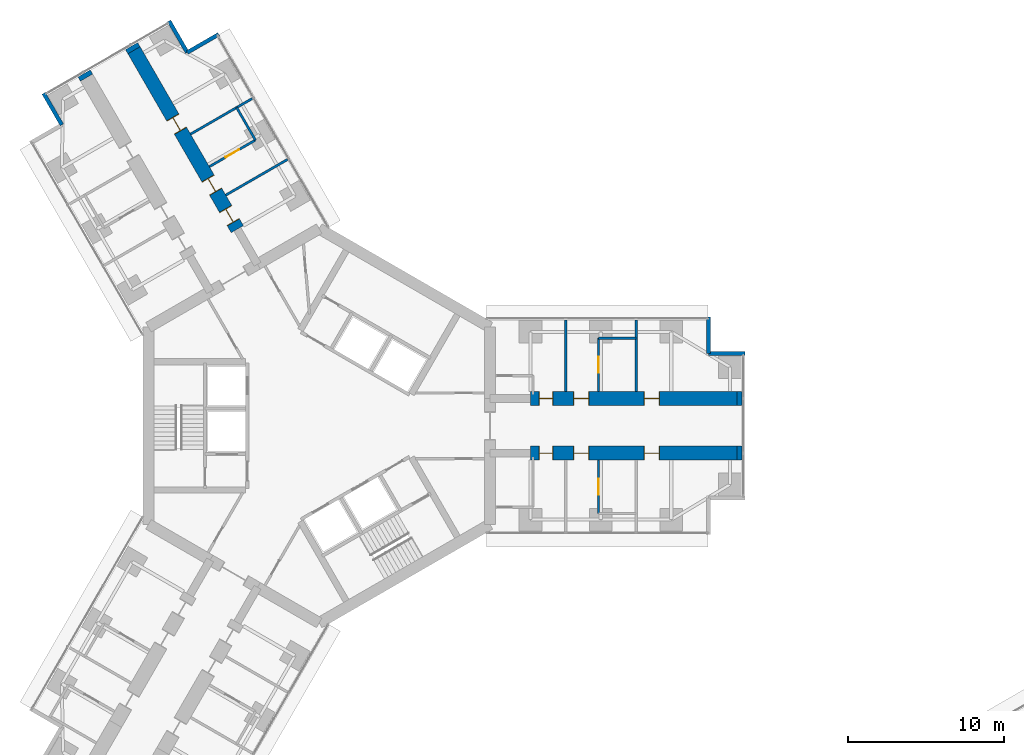
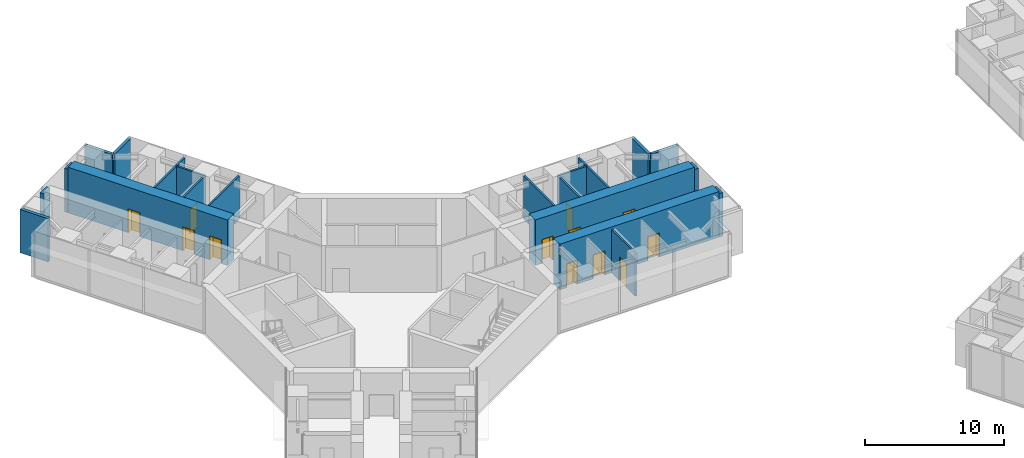
# One storey, part 19 of 24: 21 walls, 12 doors, 12 openings.
"""IFC4 building model written with IfcOpenShell, lengths in metres."""

from ifc_helpers import new_model, si_unit, direction, frame, frame_2d, origin, place, context, subcontext, project, spatial, rectangle, extrude, material, layer, layer_set, type_object, element, fill, save


model = new_model("IFC4")

# Units and contexts
model_context = context("Model", 3, precision=1e-05, world=origin(), true_north=direction((0.0, 1.0)))
body_context = subcontext(model_context, "Body", "Model", "MODEL_VIEW")
ifc_project = project(units=[si_unit("LENGTHUNIT", "METRE"), si_unit("AREAUNIT", "SQUARE_METRE"), si_unit("VOLUMEUNIT", "CUBIC_METRE"), si_unit("PLANEANGLEUNIT", "RADIAN"), si_unit("MASSUNIT", "GRAM", prefix="KILO")], contexts=[model_context])

# Site, building, storey
site_placement = place(None, origin())
site = spatial("IfcSite", under=ifc_project, at=site_placement, CompositionType="ELEMENT")
building_placement = place(site_placement, origin())
building = spatial("IfcBuilding", under=site, at=building_placement, Name="Upepo Twin Towers", CompositionType="ELEMENT")
storey_placement = place(building_placement, frame((0.0, 0.0, 68.5)))
storey = spatial("IfcBuildingStorey", under=building, at=storey_placement, Name="L16", CompositionType="ELEMENT", Elevation=68.5)

# Walls
ifc_material_1 = material(Name="Dense concrete blockwork", Category="masonry")
ifc_layer_1 = layer(ifc_material_1, 0.89990234375)
ifc_layer_set_1 = layer_set([ifc_layer_1], Name="Buttress closer 900, blockwork with fire-stopping to the curtain wall")
wall_type_1 = type_object("IfcWallType", Name="Buttress closer 900, blockwork with fire-stopping to the curtain wall", PredefinedType="PARTITIONING", material=ifc_layer_set_1)
for number, where, z_axis, x_axis, name in (
    (1, (26.699951171875, 1.75, 0.0), (0.0, 0.0, 1.0), (1.0, 0.0, 0.0), "T1 L16 wing A buttress closer L"),
    (2, (26.699951171875, -1.75, 0.0), (0.0, 0.0, 1.0), (1.0, 0.0, 0.0), "T1 L16 wing A buttress closer R"),
    (3, (-14.865478515625, 22.247802734375, 0.0), (0.0, 0.0, 1.0), (-0.499949632511, 0.866054481515, 0.0), "T1 L16 wing B buttress closer L"),
    (4, (-11.83447265625, 23.997802734375, 0.0), (0.0, 0.0, 1.0), (-0.499949632511, 0.866054481515, 0.0), "T1 L16 wing B buttress closer R"),
):
    element("IfcWall", number, at=place(storey_placement, frame(where, z_axis=z_axis, x_axis=x_axis)), inside=storey, type_object=wall_type_1, Name=name, PredefinedType="PARTITIONING", context=body_context, shape_type="SweptSolid", body=[
        extrude(rectangle(XDim=0.31005859375, YDim=0.89990234375, at=frame_2d((0.155029296875, 0.0))), origin(), (0.0, 0.0, 1.0), 3.800048828125),
    ])

# Wall, openings, doors
ifc_material_2 = material(Name="Concrete C60/75", Category="concrete")
ifc_layer_2 = layer(ifc_material_2, 0.89990234375)
ifc_layer_set_2 = layer_set([ifc_layer_2], Name="Concrete C60/75")
wall_type_2 = type_object("IfcWallType", Name="Buttress wall 900 RC", PredefinedType="SHEAR", material=ifc_layer_set_2)
wall_1_placement = place(storey_placement, frame((13.5, 1.75, 0.0), z_axis=(0.0, 0.0, 1.0), x_axis=(1.0, 0.0, 0.0)))
wall_1 = element("IfcWall", 5, at=wall_1_placement, inside=storey, type_object=wall_type_2, Name="T1 wing A buttress wall L part 2", PredefinedType="SHEAR", context=body_context, shape_type="SweptSolid", body=[
    extrude(rectangle(XDim=13.199951171875, YDim=0.89990234375, at=frame_2d((6.60009765625, 0.0))), origin(), (0.0, 0.0, 1.0), 4.0),
])
opening_1_placement = place(wall_1_placement, frame((0.550048828125, 0.0, 0.0)))
opening_1 = element("IfcOpeningElement", 6, at=opening_1_placement, cuts=wall_1, Name="Opening D11", PredefinedType="OPENING", context=body_context, shape_type="SweptSolid", body=[
    extrude(rectangle(XDim=0.89990234375, YDim=2.10009765625, at=frame_2d((0.449951171875, 1.050048828125))), frame((0.0, 0.4599609375, 0.0), z_axis=(0.0, -1.0, 0.0), x_axis=(1.0, 0.0, 0.0)), (0.0, 0.0, 1.0), 0.919921875),
])
opening_2_placement = place(wall_1_placement, frame((2.75, 0.0, 0.0)))
opening_2 = element("IfcOpeningElement", 7, at=opening_2_placement, cuts=wall_1, Name="Opening D1", PredefinedType="OPENING", context=body_context, shape_type="SweptSolid", body=[
    extrude(rectangle(XDim=1.0, YDim=2.10009765625, at=frame_2d((0.5, 1.050048828125))), frame((0.0, 0.4599609375, 0.0), z_axis=(0.0, -1.0, 0.0), x_axis=(1.0, 0.0, 0.0)), (0.0, 0.0, 1.0), 0.919921875),
])
opening_3_placement = place(wall_1_placement, frame((7.25, 0.0, 0.0)))
opening_3 = element("IfcOpeningElement", 8, at=opening_3_placement, cuts=wall_1, Name="Opening D1", PredefinedType="OPENING", context=body_context, shape_type="SweptSolid", body=[
    extrude(rectangle(XDim=1.0, YDim=2.10009765625, at=frame_2d((0.5, 1.050048828125))), frame((0.0, 0.4599609375, 0.0), z_axis=(0.0, -1.0, 0.0), x_axis=(1.0, 0.0, 0.0)), (0.0, 0.0, 1.0), 0.919921875),
])
ifc_material_3 = material(Name="Timber doorset", Category="wood")
door_type_1 = type_object("IfcDoorType", Name="Room door 1000 FD30", OperationType="SINGLE_SWING_LEFT", PredefinedType="DOOR", material=ifc_material_3)
door_1_placement = place(opening_2_placement, origin())
door_1 = element("IfcDoor", 9, at=door_1_placement, inside=storey, type_object=door_type_1, Name="T1 L16 seminar room door", OperationType="SINGLE_SWING_LEFT", OverallHeight=2.10009765625, OverallWidth=1.0, PredefinedType="DOOR", context=body_context, shape_type="SweptSolid", body=[
    extrude(rectangle(XDim=0.92, YDim=2.06009765625, at=frame_2d((0.5, 1.030029296875))), frame((0.0, 0.02490234375, 0.0), z_axis=(0.0, -1.0, 0.0), x_axis=(1.0, 0.0, 0.0)), (0.0, 0.0, 1.0), 0.050048828125),
    extrude(rectangle(XDim=0.04, YDim=2.10009765625, at=frame_2d((0.02001953125, 1.050048828125))), frame((0.0, 0.44970703125, 0.0), z_axis=(0.0, -1.0, 0.0), x_axis=(1.0, 0.0, 0.0)), (0.0, 0.0, 1.0), 0.8994140625),
    extrude(rectangle(XDim=0.04, YDim=2.10009765625, at=frame_2d((0.97998046875, 1.050048828125))), frame((0.0, 0.44970703125, 0.0), z_axis=(0.0, -1.0, 0.0), x_axis=(1.0, 0.0, 0.0)), (0.0, 0.0, 1.0), 0.8994140625),
    extrude(rectangle(XDim=0.92, YDim=0.04, at=frame_2d((0.5, 2.080078125))), frame((0.0, 0.44970703125, 0.0), z_axis=(0.0, -1.0, 0.0), x_axis=(1.0, 0.0, 0.0)), (0.0, 0.0, 1.0), 0.8994140625),
])
fill(opening_2, door_1)
door_2_placement = place(opening_3_placement, origin())
door_2 = element("IfcDoor", 10, at=door_2_placement, inside=storey, type_object=door_type_1, Name="T1 L16 staff office door", OperationType="SINGLE_SWING_RIGHT", OverallHeight=2.10009765625, OverallWidth=1.0, PredefinedType="DOOR", context=body_context, shape_type="SweptSolid", body=[
    extrude(rectangle(XDim=0.92, YDim=2.06009765625, at=frame_2d((0.5, 1.030029296875))), frame((0.0, 0.02490234375, 0.0), z_axis=(0.0, -1.0, 0.0), x_axis=(1.0, 0.0, 0.0)), (0.0, 0.0, 1.0), 0.050048828125),
    extrude(rectangle(XDim=0.04, YDim=2.10009765625, at=frame_2d((0.02001953125, 1.050048828125))), frame((0.0, 0.44970703125, 0.0), z_axis=(0.0, -1.0, 0.0), x_axis=(1.0, 0.0, 0.0)), (0.0, 0.0, 1.0), 0.8994140625),
    extrude(rectangle(XDim=0.04, YDim=2.10009765625, at=frame_2d((0.97998046875, 1.050048828125))), frame((0.0, 0.44970703125, 0.0), z_axis=(0.0, -1.0, 0.0), x_axis=(1.0, 0.0, 0.0)), (0.0, 0.0, 1.0), 0.8994140625),
    extrude(rectangle(XDim=0.92, YDim=0.04, at=frame_2d((0.5, 2.080078125))), frame((0.0, 0.44970703125, 0.0), z_axis=(0.0, -1.0, 0.0), x_axis=(1.0, 0.0, 0.0)), (0.0, 0.0, 1.0), 0.8994140625),
])
fill(opening_3, door_2)
ifc_material_4 = material(Name="Timber doorset", Category="wood")
door_type_2 = type_object("IfcDoorType", Name="Toilet door 900", OperationType="SINGLE_SWING_LEFT", PredefinedType="DOOR", material=ifc_material_4)
door_3_placement = place(opening_1_placement, origin())
door_3 = element("IfcDoor", 11, at=door_3_placement, inside=storey, type_object=door_type_2, Name="T1 L16 toilets door", OperationType="SINGLE_SWING_LEFT", OverallHeight=2.10009765625, OverallWidth=0.89990234375, PredefinedType="DOOR", context=body_context, shape_type="SweptSolid", body=[
    extrude(rectangle(XDim=0.81990234375, YDim=2.06009765625, at=frame_2d((0.449951171875, 1.030029296875))), frame((0.0, 0.02490234375, 0.0), z_axis=(0.0, -1.0, 0.0), x_axis=(1.0, 0.0, 0.0)), (0.0, 0.0, 1.0), 0.050048828125),
    extrude(rectangle(XDim=0.04, YDim=2.10009765625, at=frame_2d((0.02001953125, 1.050048828125))), frame((0.0, 0.44970703125, 0.0), z_axis=(0.0, -1.0, 0.0), x_axis=(1.0, 0.0, 0.0)), (0.0, 0.0, 1.0), 0.8994140625),
    extrude(rectangle(XDim=0.04, YDim=2.10009765625, at=frame_2d((0.8798828125, 1.050048828125))), frame((0.0, 0.44970703125, 0.0), z_axis=(0.0, -1.0, 0.0), x_axis=(1.0, 0.0, 0.0)), (0.0, 0.0, 1.0), 0.8994140625),
    extrude(rectangle(XDim=0.81990234375, YDim=0.04, at=frame_2d((0.449951171875, 2.080078125))), frame((0.0, 0.44970703125, 0.0), z_axis=(0.0, -1.0, 0.0), x_axis=(1.0, 0.0, 0.0)), (0.0, 0.0, 1.0), 0.8994140625),
])
fill(opening_1, door_3)

wall_2_placement = place(storey_placement, frame((13.5, -1.75, 0.0), z_axis=(0.0, 0.0, 1.0), x_axis=(1.0, 0.0, 0.0)))
wall_2 = element("IfcWall", 12, at=wall_2_placement, inside=storey, type_object=wall_type_2, Name="T1 wing A buttress wall R part 2", PredefinedType="SHEAR", context=body_context, shape_type="SweptSolid", body=[
    extrude(rectangle(XDim=13.199951171875, YDim=0.89990234375, at=frame_2d((6.60009765625, 0.0))), origin(), (0.0, 0.0, 1.0), 4.0),
])
opening_4_placement = place(wall_2_placement, frame((0.550048828125, 0.0, 0.0)))
opening_4 = element("IfcOpeningElement", 13, at=opening_4_placement, cuts=wall_2, Name="Opening D11", PredefinedType="OPENING", context=body_context, shape_type="SweptSolid", body=[
    extrude(rectangle(XDim=0.89990234375, YDim=2.10009765625, at=frame_2d((0.449951171875, 1.050048828125))), frame((0.0, 0.4599609375, 0.0), z_axis=(0.0, -1.0, 0.0), x_axis=(1.0, 0.0, 0.0)), (0.0, 0.0, 1.0), 0.919921875),
])
opening_5_placement = place(wall_2_placement, frame((2.75, 0.0, 0.0)))
opening_5 = element("IfcOpeningElement", 14, at=opening_5_placement, cuts=wall_2, Name="Opening D1", PredefinedType="OPENING", context=body_context, shape_type="SweptSolid", body=[
    extrude(rectangle(XDim=1.0, YDim=2.10009765625, at=frame_2d((0.5, 1.050048828125))), frame((0.0, 0.4599609375, 0.0), z_axis=(0.0, -1.0, 0.0), x_axis=(1.0, 0.0, 0.0)), (0.0, 0.0, 1.0), 0.919921875),
])
opening_6_placement = place(wall_2_placement, frame((7.25, 0.0, 0.0)))
opening_6 = element("IfcOpeningElement", 15, at=opening_6_placement, cuts=wall_2, Name="Opening D1", PredefinedType="OPENING", context=body_context, shape_type="SweptSolid", body=[
    extrude(rectangle(XDim=1.0, YDim=2.10009765625, at=frame_2d((0.5, 1.050048828125))), frame((0.0, 0.4599609375, 0.0), z_axis=(0.0, -1.0, 0.0), x_axis=(1.0, 0.0, 0.0)), (0.0, 0.0, 1.0), 0.919921875),
])
door_4_placement = place(opening_5_placement, origin())
door_4 = element("IfcDoor", 16, at=door_4_placement, inside=storey, type_object=door_type_1, Name="T1 L16 tutorial room door", OperationType="SINGLE_SWING_LEFT", OverallHeight=2.10009765625, OverallWidth=1.0, PredefinedType="DOOR", context=body_context, shape_type="SweptSolid", body=[
    extrude(rectangle(XDim=0.92, YDim=2.06009765625, at=frame_2d((0.5, 1.030029296875))), frame((0.0, 0.02490234375, 0.0), z_axis=(0.0, -1.0, 0.0), x_axis=(1.0, 0.0, 0.0)), (0.0, 0.0, 1.0), 0.050048828125),
    extrude(rectangle(XDim=0.04, YDim=2.10009765625, at=frame_2d((0.02001953125, 1.050048828125))), frame((0.0, 0.44970703125, 0.0), z_axis=(0.0, -1.0, 0.0), x_axis=(1.0, 0.0, 0.0)), (0.0, 0.0, 1.0), 0.8994140625),
    extrude(rectangle(XDim=0.04, YDim=2.10009765625, at=frame_2d((0.97998046875, 1.050048828125))), frame((0.0, 0.44970703125, 0.0), z_axis=(0.0, -1.0, 0.0), x_axis=(1.0, 0.0, 0.0)), (0.0, 0.0, 1.0), 0.8994140625),
    extrude(rectangle(XDim=0.92, YDim=0.04, at=frame_2d((0.5, 2.080078125))), frame((0.0, 0.44970703125, 0.0), z_axis=(0.0, -1.0, 0.0), x_axis=(1.0, 0.0, 0.0)), (0.0, 0.0, 1.0), 0.8994140625),
])
fill(opening_5, door_4)
door_5_placement = place(opening_6_placement, origin())
door_5 = element("IfcDoor", 17, at=door_5_placement, inside=storey, type_object=door_type_1, Name="T1 L16 computing laboratory door", OperationType="SINGLE_SWING_RIGHT", OverallHeight=2.10009765625, OverallWidth=1.0, PredefinedType="DOOR", context=body_context, shape_type="SweptSolid", body=[
    extrude(rectangle(XDim=0.92, YDim=2.06009765625, at=frame_2d((0.5, 1.030029296875))), frame((0.0, 0.02490234375, 0.0), z_axis=(0.0, -1.0, 0.0), x_axis=(1.0, 0.0, 0.0)), (0.0, 0.0, 1.0), 0.050048828125),
    extrude(rectangle(XDim=0.04, YDim=2.10009765625, at=frame_2d((0.02001953125, 1.050048828125))), frame((0.0, 0.44970703125, 0.0), z_axis=(0.0, -1.0, 0.0), x_axis=(1.0, 0.0, 0.0)), (0.0, 0.0, 1.0), 0.8994140625),
    extrude(rectangle(XDim=0.04, YDim=2.10009765625, at=frame_2d((0.97998046875, 1.050048828125))), frame((0.0, 0.44970703125, 0.0), z_axis=(0.0, -1.0, 0.0), x_axis=(1.0, 0.0, 0.0)), (0.0, 0.0, 1.0), 0.8994140625),
    extrude(rectangle(XDim=0.92, YDim=0.04, at=frame_2d((0.5, 2.080078125))), frame((0.0, 0.44970703125, 0.0), z_axis=(0.0, -1.0, 0.0), x_axis=(1.0, 0.0, 0.0)), (0.0, 0.0, 1.0), 0.8994140625),
])
fill(opening_6, door_5)
door_6_placement = place(opening_4_placement, origin())
door_6 = element("IfcDoor", 18, at=door_6_placement, inside=storey, type_object=door_type_2, Name="T1 L16 accessible wc door", OperationType="SINGLE_SWING_LEFT", OverallHeight=2.10009765625, OverallWidth=0.89990234375, PredefinedType="DOOR", context=body_context, shape_type="SweptSolid", body=[
    extrude(rectangle(XDim=0.81990234375, YDim=2.06009765625, at=frame_2d((0.449951171875, 1.030029296875))), frame((0.0, 0.02490234375, 0.0), z_axis=(0.0, -1.0, 0.0), x_axis=(1.0, 0.0, 0.0)), (0.0, 0.0, 1.0), 0.050048828125),
    extrude(rectangle(XDim=0.04, YDim=2.10009765625, at=frame_2d((0.02001953125, 1.050048828125))), frame((0.0, 0.44970703125, 0.0), z_axis=(0.0, -1.0, 0.0), x_axis=(1.0, 0.0, 0.0)), (0.0, 0.0, 1.0), 0.8994140625),
    extrude(rectangle(XDim=0.04, YDim=2.10009765625, at=frame_2d((0.8798828125, 1.050048828125))), frame((0.0, 0.44970703125, 0.0), z_axis=(0.0, -1.0, 0.0), x_axis=(1.0, 0.0, 0.0)), (0.0, 0.0, 1.0), 0.8994140625),
    extrude(rectangle(XDim=0.81990234375, YDim=0.04, at=frame_2d((0.449951171875, 2.080078125))), frame((0.0, 0.44970703125, 0.0), z_axis=(0.0, -1.0, 0.0), x_axis=(1.0, 0.0, 0.0)), (0.0, 0.0, 1.0), 0.8994140625),
])
fill(opening_4, door_6)

wall_3_placement = place(storey_placement, frame((-5.234375, 12.56640625, 0.0), z_axis=(0.0, 0.0, 1.0), x_axis=(-0.500010103361, 0.866019570528, 0.0)))
wall_3 = element("IfcWall", 19, at=wall_3_placement, inside=storey, type_object=wall_type_2, Name="T1 wing B buttress wall R part 2", PredefinedType="SHEAR", context=body_context, shape_type="SweptSolid", body=[
    extrude(rectangle(XDim=13.199951171875, YDim=0.89990234375, at=frame_2d((6.60009765625, 0.0))), origin(), (0.0, 0.0, 1.0), 4.0),
])
opening_7_placement = place(wall_3_placement, frame((0.5, 0.0, 0.0)))
opening_7 = element("IfcOpeningElement", 20, at=opening_7_placement, cuts=wall_3, Name="Opening D1", PredefinedType="OPENING", context=body_context, shape_type="SweptSolid", body=[
    extrude(rectangle(XDim=1.0, YDim=2.10009765625, at=frame_2d((0.5, 1.050048828125))), frame((0.0, 0.4599609375, 0.0), z_axis=(0.0, -1.0, 0.0), x_axis=(1.0, 0.0, 0.0)), (0.0, 0.0, 1.0), 0.919921875),
])
opening_8_placement = place(wall_3_placement, frame((2.75, 0.0, 0.0)))
opening_8 = element("IfcOpeningElement", 21, at=opening_8_placement, cuts=wall_3, Name="Opening D1", PredefinedType="OPENING", context=body_context, shape_type="SweptSolid", body=[
    extrude(rectangle(XDim=1.0, YDim=2.10009765625, at=frame_2d((0.5, 1.050048828125))), frame((0.0, 0.4599609375, 0.0), z_axis=(0.0, -1.0, 0.0), x_axis=(1.0, 0.0, 0.0)), (0.0, 0.0, 1.0), 0.919921875),
])
opening_9_placement = place(wall_3_placement, frame((7.25, 0.0, 0.0)))
opening_9 = element("IfcOpeningElement", 22, at=opening_9_placement, cuts=wall_3, Name="Opening D1", PredefinedType="OPENING", context=body_context, shape_type="SweptSolid", body=[
    extrude(rectangle(XDim=1.0, YDim=2.10009765625, at=frame_2d((0.5, 1.050048828125))), frame((0.0, 0.4599609375, 0.0), z_axis=(0.0, -1.0, 0.0), x_axis=(1.0, 0.0, 0.0)), (0.0, 0.0, 1.0), 0.919921875),
])
door_7_placement = place(opening_7_placement, origin())
door_7 = element("IfcDoor", 23, at=door_7_placement, inside=storey, type_object=door_type_1, Name="T1 L16 computing laboratory door", OperationType="SINGLE_SWING_LEFT", OverallHeight=2.10009765625, OverallWidth=1.0, PredefinedType="DOOR", context=body_context, shape_type="SweptSolid", body=[
    extrude(rectangle(XDim=0.92, YDim=2.06009765625, at=frame_2d((0.5, 1.030029296875))), frame((0.0, 0.02490234375, 0.0), z_axis=(0.0, -1.0, 0.0), x_axis=(1.0, 0.0, 0.0)), (0.0, 0.0, 1.0), 0.050048828125),
    extrude(rectangle(XDim=0.04, YDim=2.10009765625, at=frame_2d((0.02001953125, 1.050048828125))), frame((0.0, 0.44970703125, 0.0), z_axis=(0.0, -1.0, 0.0), x_axis=(1.0, 0.0, 0.0)), (0.0, 0.0, 1.0), 0.8994140625),
    extrude(rectangle(XDim=0.04, YDim=2.10009765625, at=frame_2d((0.97998046875, 1.050048828125))), frame((0.0, 0.44970703125, 0.0), z_axis=(0.0, -1.0, 0.0), x_axis=(1.0, 0.0, 0.0)), (0.0, 0.0, 1.0), 0.8994140625),
    extrude(rectangle(XDim=0.92, YDim=0.04, at=frame_2d((0.5, 2.080078125))), frame((0.0, 0.44970703125, 0.0), z_axis=(0.0, -1.0, 0.0), x_axis=(1.0, 0.0, 0.0)), (0.0, 0.0, 1.0), 0.8994140625),
])
fill(opening_7, door_7)
door_8_placement = place(opening_8_placement, origin())
door_8 = element("IfcDoor", 24, at=door_8_placement, inside=storey, type_object=door_type_1, Name="T1 L16 seminar room door", OperationType="SINGLE_SWING_LEFT", OverallHeight=2.10009765625, OverallWidth=1.0, PredefinedType="DOOR", context=body_context, shape_type="SweptSolid", body=[
    extrude(rectangle(XDim=0.92, YDim=2.06009765625, at=frame_2d((0.5, 1.030029296875))), frame((0.0, 0.02490234375, 0.0), z_axis=(0.0, -1.0, 0.0), x_axis=(1.0, 0.0, 0.0)), (0.0, 0.0, 1.0), 0.050048828125),
    extrude(rectangle(XDim=0.04, YDim=2.10009765625, at=frame_2d((0.02001953125, 1.050048828125))), frame((0.0, 0.44970703125, 0.0), z_axis=(0.0, -1.0, 0.0), x_axis=(1.0, 0.0, 0.0)), (0.0, 0.0, 1.0), 0.8994140625),
    extrude(rectangle(XDim=0.04, YDim=2.10009765625, at=frame_2d((0.97998046875, 1.050048828125))), frame((0.0, 0.44970703125, 0.0), z_axis=(0.0, -1.0, 0.0), x_axis=(1.0, 0.0, 0.0)), (0.0, 0.0, 1.0), 0.8994140625),
    extrude(rectangle(XDim=0.92, YDim=0.04, at=frame_2d((0.5, 2.080078125))), frame((0.0, 0.44970703125, 0.0), z_axis=(0.0, -1.0, 0.0), x_axis=(1.0, 0.0, 0.0)), (0.0, 0.0, 1.0), 0.8994140625),
])
fill(opening_8, door_8)
door_9_placement = place(opening_9_placement, origin())
door_9 = element("IfcDoor", 25, at=door_9_placement, inside=storey, type_object=door_type_1, Name="T1 L16 staff office door", OperationType="SINGLE_SWING_RIGHT", OverallHeight=2.10009765625, OverallWidth=1.0, PredefinedType="DOOR", context=body_context, shape_type="SweptSolid", body=[
    extrude(rectangle(XDim=0.92, YDim=2.06009765625, at=frame_2d((0.5, 1.030029296875))), frame((0.0, 0.02490234375, 0.0), z_axis=(0.0, -1.0, 0.0), x_axis=(1.0, 0.0, 0.0)), (0.0, 0.0, 1.0), 0.050048828125),
    extrude(rectangle(XDim=0.04, YDim=2.10009765625, at=frame_2d((0.02001953125, 1.050048828125))), frame((0.0, 0.44970703125, 0.0), z_axis=(0.0, -1.0, 0.0), x_axis=(1.0, 0.0, 0.0)), (0.0, 0.0, 1.0), 0.8994140625),
    extrude(rectangle(XDim=0.04, YDim=2.10009765625, at=frame_2d((0.97998046875, 1.050048828125))), frame((0.0, 0.44970703125, 0.0), z_axis=(0.0, -1.0, 0.0), x_axis=(1.0, 0.0, 0.0)), (0.0, 0.0, 1.0), 0.8994140625),
    extrude(rectangle(XDim=0.92, YDim=0.04, at=frame_2d((0.5, 2.080078125))), frame((0.0, 0.44970703125, 0.0), z_axis=(0.0, -1.0, 0.0), x_axis=(1.0, 0.0, 0.0)), (0.0, 0.0, 1.0), 0.8994140625),
])
fill(opening_9, door_9)

# Walls
ifc_material_5 = material(Name="Blockwork with anodised aluminium cladding", Category="masonry")
ifc_layer_3 = layer(ifc_material_5, 0.25)
ifc_layer_set_3 = layer_set([ifc_layer_3], Name="Notch cladding wall 250, pale metal")
wall_type_3 = type_object("IfcWallType", Name="Notch cladding wall 250, pale metal", PredefinedType="STANDARD", material=ifc_layer_set_3)
for number, where, z_axis, x_axis, name in (
    (26, (24.875, 6.949951171875, 0.0), (0.0, 0.0, 1.0), (0.0, -1.0, 0.0), "T1 L16 wing A notch wall L1"),
    (27, (24.875, 4.625, 0.0), (0.0, 0.0, 1.0), (1.0, 0.0, 0.0), "T1 L16 wing A notch wall L2"),
    (28, (-16.44287109375, 19.22998046875, 0.0), (0.0, 0.0, 1.0), (-0.500046648681, 0.865998469481, 0.0), "T1 L16 wing B notch wall L2"),
    (29, (-6.418701171875, 25.017333984375, 0.0), (0.0, 0.0, 1.0), (-0.866043940782, -0.499967891604, 0.0), "T1 L16 wing B notch wall R1"),
    (30, (-8.43212890625, 23.85498046875, 0.0), (0.0, 0.0, 1.0), (-0.500046648681, 0.865998469481, 0.0), "T1 L16 wing B notch wall R2"),
):
    element("IfcWall", number, at=place(storey_placement, frame(where, z_axis=z_axis, x_axis=x_axis)), inside=storey, type_object=wall_type_3, Name=name, PredefinedType="STANDARD", context=body_context, shape_type="SweptSolid", body=[
        extrude(rectangle(XDim=2.324951171875, YDim=0.25, at=frame_2d((1.16259765625, 0.0))), origin(), (0.0, 0.0, 1.0), 3.800048828125),
    ])
ifc_material_6 = material(Name="Gypsum board on steel studs", Category="steel")
ifc_layer_4 = layer(ifc_material_6, 0.14990234375)
ifc_layer_set_4 = layer_set([ifc_layer_4], Name="Teaching partition 150 acoustic")
wall_type_4 = type_object("IfcWallType", Name="Teaching partition 150 acoustic", PredefinedType="PARTITIONING", material=ifc_layer_set_4)
for number, where, z_axis, x_axis, name in (
    (31, (15.75, 2.199951171875, 0.0), (0.0, 0.0, 1.0), (0.0, 1.0, 0.0), "T1 partition AL at 15.75"),
    (32, (20.25, 2.199951171875, 0.0), (0.0, 0.0, 1.0), (0.0, 1.0, 0.0), "T1 partition AL at 20.25"),
):
    element("IfcWall", number, at=place(storey_placement, frame(where, z_axis=z_axis, x_axis=x_axis)), inside=storey, type_object=wall_type_4, Name=name, PredefinedType="PARTITIONING", context=body_context, shape_type="SweptSolid", body=[
        extrude(rectangle(XDim=4.550048828125, YDim=0.14990234375, at=frame_2d((2.27490234375, 0.0))), origin(), (0.0, 0.0, 1.0), 3.800048828125),
    ])
wall_4_placement = place(storey_placement, frame((17.85009765625, 5.60009765625, 0.0), z_axis=(0.0, 0.0, 1.0), x_axis=(1.0, 0.0, 0.0)))
element("IfcWall", 33, at=wall_4_placement, inside=storey, type_object=wall_type_4, Name="T1 inner room partition AL at 17.85", PredefinedType="PARTITIONING", context=body_context, shape_type="SweptSolid", body=[
    extrude(rectangle(XDim=2.39990234375, YDim=0.14990234375, at=frame_2d((1.199951171875, 0.0))), origin(), (0.0, 0.0, 1.0), 3.800048828125),
])

# Wall, opening, door
wall_5_placement = place(storey_placement, frame((17.85009765625, 2.199951171875, 0.0), z_axis=(0.0, 0.0, 1.0), x_axis=(0.0, 1.0, 0.0)))
wall_5 = element("IfcWall", 34, at=wall_5_placement, inside=storey, type_object=wall_type_4, Name="T1 inner room partition AL end at 17.85", PredefinedType="PARTITIONING", context=body_context, shape_type="SweptSolid", body=[
    extrude(rectangle(XDim=3.400146484375, YDim=0.14990234375, at=frame_2d((1.7001953125, 0.0))), origin(), (0.0, 0.0, 1.0), 3.800048828125),
])
opening_10_placement = place(wall_5_placement, frame((1.199951171875, 0.0, 0.0)))
opening_10 = element("IfcOpeningElement", 35, at=opening_10_placement, cuts=wall_5, Name="Opening D1", PredefinedType="OPENING", context=body_context, shape_type="SweptSolid", body=[
    extrude(rectangle(XDim=1.0, YDim=2.10009765625, at=frame_2d((0.5, 1.050048828125))), frame((0.0, 0.0849609375, 0.0), z_axis=(0.0, -1.0, 0.0), x_axis=(1.0, 0.0, 0.0)), (0.0, 0.0, 1.0), 0.169921875),
])
door_10_placement = place(opening_10_placement, origin())
door_10 = element("IfcDoor", 36, at=door_10_placement, inside=storey, type_object=door_type_1, Name="T1 L16 inner room door", OperationType="SINGLE_SWING_LEFT", OverallHeight=2.10009765625, OverallWidth=1.0, PredefinedType="DOOR", context=body_context, shape_type="SweptSolid", body=[
    extrude(rectangle(XDim=1.0, YDim=2.10009765625, at=frame_2d((0.5, 1.050048828125))), frame((0.0, 0.02490234375, 0.0), z_axis=(0.0, -1.0, 0.0), x_axis=(1.0, 0.0, 0.0)), (0.0, 0.0, 1.0), 0.050048828125),
])
fill(opening_10, door_10)

wall_6_placement = place(storey_placement, frame((17.85009765625, -2.199951171875, 0.0), z_axis=(0.0, 0.0, 1.0), x_axis=(0.0, -1.0, 0.0)))
wall_6 = element("IfcWall", 37, at=wall_6_placement, inside=storey, type_object=wall_type_4, Name="T1 inner room partition AR end at 17.85", PredefinedType="PARTITIONING", context=body_context, shape_type="SweptSolid", body=[
    extrude(rectangle(XDim=3.400146484375, YDim=0.14990234375, at=frame_2d((1.7001953125, 0.0))), origin(), (0.0, 0.0, 1.0), 3.800048828125),
])
opening_11_placement = place(wall_6_placement, frame((1.199951171875, 0.0, 0.0)))
opening_11 = element("IfcOpeningElement", 38, at=opening_11_placement, cuts=wall_6, Name="Opening D1", PredefinedType="OPENING", context=body_context, shape_type="SweptSolid", body=[
    extrude(rectangle(XDim=1.0, YDim=2.10009765625, at=frame_2d((0.5, 1.050048828125))), frame((0.0, 0.0849609375, 0.0), z_axis=(0.0, -1.0, 0.0), x_axis=(1.0, 0.0, 0.0)), (0.0, 0.0, 1.0), 0.169921875),
])
door_11_placement = place(opening_11_placement, origin())
door_11 = element("IfcDoor", 39, at=door_11_placement, inside=storey, type_object=door_type_1, Name="T1 L16 inner room door", OperationType="SINGLE_SWING_LEFT", OverallHeight=2.10009765625, OverallWidth=1.0, PredefinedType="DOOR", context=body_context, shape_type="SweptSolid", body=[
    extrude(rectangle(XDim=1.0, YDim=2.10009765625, at=frame_2d((0.5, 1.050048828125))), frame((0.0, 0.02490234375, 0.0), z_axis=(0.0, -1.0, 0.0), x_axis=(1.0, 0.0, 0.0)), (0.0, 0.0, 1.0), 0.050048828125),
])
fill(opening_11, door_11)

# Walls
for number, where, z_axis, x_axis, name in (
    (40, (-5.9697265625, 14.739990234375, 0.0), (0.0, 0.0, 1.0), (0.866035472144, 0.499982560684, 0.0), "T1 partition BR at 15.75"),
    (41, (-8.2197265625, 18.636962890625, 0.0), (0.0, 0.0, 1.0), (0.866012237902, 0.500022803284, 0.0), "T1 partition BR at 20.25"),
):
    element("IfcWall", number, at=place(storey_placement, frame(where, z_axis=z_axis, x_axis=x_axis)), inside=storey, type_object=wall_type_4, Name=name, PredefinedType="PARTITIONING", context=body_context, shape_type="SweptSolid", body=[
        extrude(rectangle(XDim=4.550048828125, YDim=0.14990234375, at=frame_2d((2.27490234375, 0.0))), origin(), (0.0, 0.0, 1.0), 3.800048828125),
    ])
wall_7_placement = place(storey_placement, frame((-4.0751953125, 18.258544921875, 0.0), z_axis=(0.0, 0.0, 1.0), x_axis=(-0.500001309137, 0.866024647952, 0.0)))
element("IfcWall", 42, at=wall_7_placement, inside=storey, type_object=wall_type_4, Name="T1 inner room partition BR at 17.85", PredefinedType="PARTITIONING", context=body_context, shape_type="SweptSolid", body=[
    extrude(rectangle(XDim=2.39990234375, YDim=0.14990234375, at=frame_2d((1.199951171875, 0.0))), origin(), (0.0, 0.0, 1.0), 3.800048828125),
])

# Wall, opening, door
wall_8_placement = place(storey_placement, frame((-7.019775390625, 16.55859375, 0.0), z_axis=(0.0, 0.0, 1.0), x_axis=(0.866038511948, 0.499977295307, 0.0)))
wall_8 = element("IfcWall", 43, at=wall_8_placement, inside=storey, type_object=wall_type_4, Name="T1 inner room partition BR end at 17.85", PredefinedType="PARTITIONING", context=body_context, shape_type="SweptSolid", body=[
    extrude(rectangle(XDim=3.400146484375, YDim=0.14990234375, at=frame_2d((1.7001953125, 0.0))), origin(), (0.0, 0.0, 1.0), 3.800048828125),
])
opening_12_placement = place(wall_8_placement, frame((1.199951171875, 0.0, 0.0)))
opening_12 = element("IfcOpeningElement", 44, at=opening_12_placement, cuts=wall_8, Name="Opening D1", PredefinedType="OPENING", context=body_context, shape_type="SweptSolid", body=[
    extrude(rectangle(XDim=1.0, YDim=2.10009765625, at=frame_2d((0.5, 1.050048828125))), frame((0.0, 0.0849609375, 0.0), z_axis=(0.0, -1.0, 0.0), x_axis=(1.0, 0.0, 0.0)), (0.0, 0.0, 1.0), 0.169921875),
])
door_12_placement = place(opening_12_placement, origin())
door_12 = element("IfcDoor", 45, at=door_12_placement, inside=storey, type_object=door_type_1, Name="T1 L16 inner room door", OperationType="SINGLE_SWING_LEFT", OverallHeight=2.10009765625, OverallWidth=1.0, PredefinedType="DOOR", context=body_context, shape_type="SweptSolid", body=[
    extrude(rectangle(XDim=1.0, YDim=2.10009765625, at=frame_2d((0.5, 1.050048828125))), frame((0.0, 0.02490234375, 0.0), z_axis=(0.0, -1.0, 0.0), x_axis=(1.0, 0.0, 0.0)), (0.0, 0.0, 1.0), 0.050048828125),
])
fill(opening_12, door_12)

save(model, "model.ifc")
